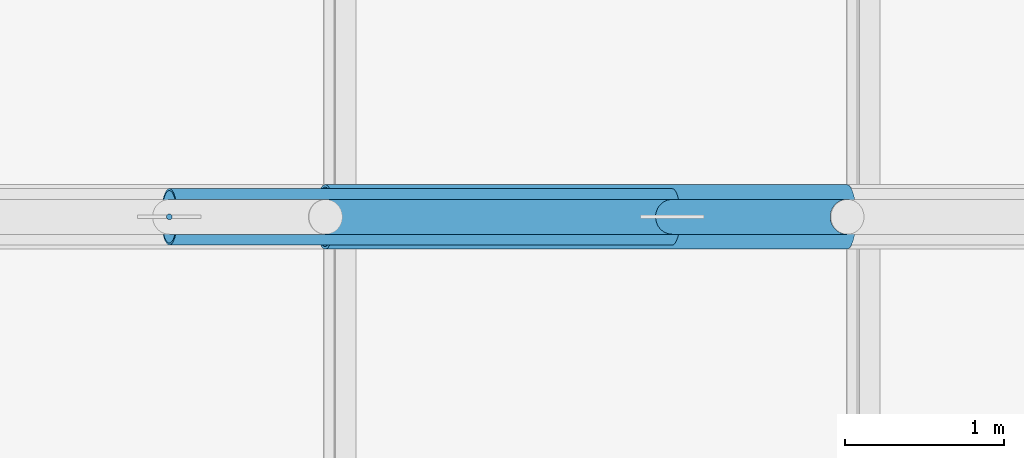
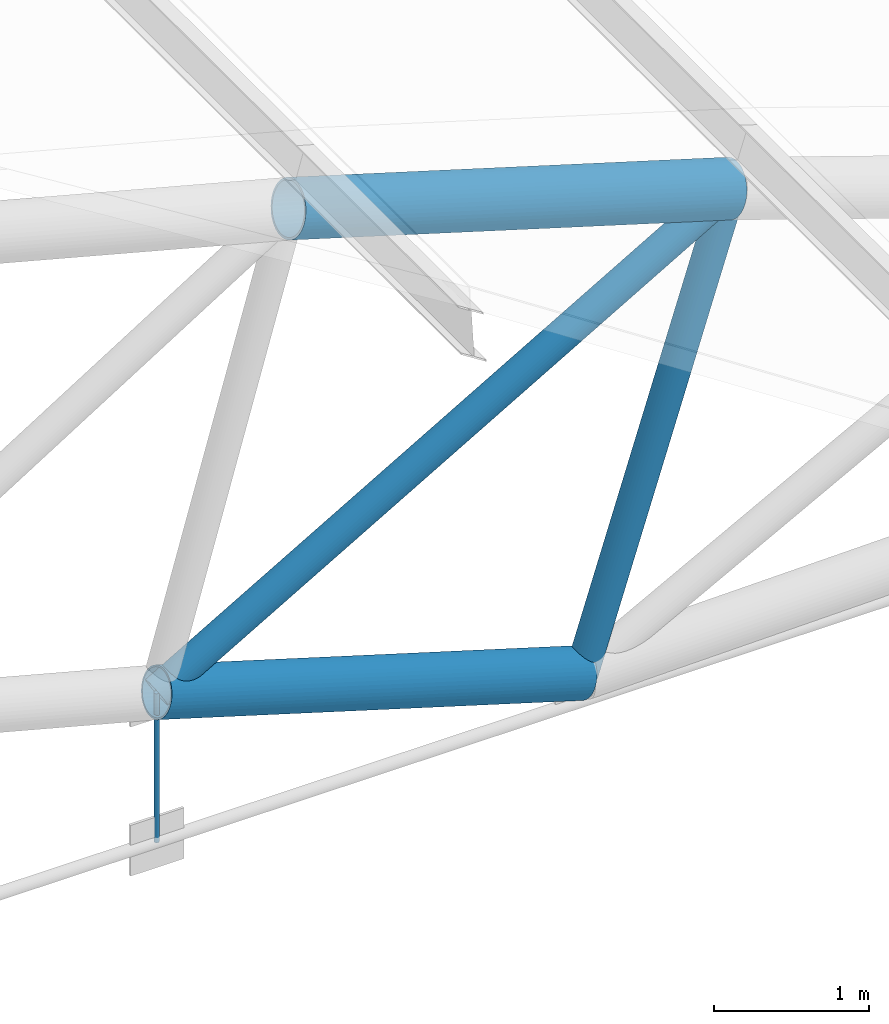
# One storey, part 194 of 321: 5 members.
"""IFC4 building model written with IfcOpenShell, lengths in metres."""

from ifc_helpers import new_model, si_unit, direction, frame, origin, origin_2d, place, context, subcontext, project, spatial, circle, hollow_circle, extrude, material, material_profile, profile_set, type_object, element, save


model = new_model("IFC4")

# Units and contexts
model_context = context("Model", 3, precision=1e-05, world=origin(), true_north=direction((0.0, 1.0)))
body_context = subcontext(model_context, "Body", "Model", "MODEL_VIEW")
ifc_project = project(units=[si_unit("LENGTHUNIT", "METRE"), si_unit("AREAUNIT", "SQUARE_METRE"), si_unit("VOLUMEUNIT", "CUBIC_METRE"), si_unit("PLANEANGLEUNIT", "RADIAN"), si_unit("MASSUNIT", "GRAM", prefix="KILO")], contexts=[model_context])

# Site, building, storey
site_placement = place(None, origin())
site = spatial("IfcSite", under=ifc_project, at=site_placement, CompositionType="ELEMENT")
building_placement = place(site_placement, origin())
building = spatial("IfcBuilding", under=site, at=building_placement, Name="Ravi Spectrum Wholesale Market", CompositionType="ELEMENT")
storey_placement = place(building_placement, frame((0.0, 0.0, 10.800048828125)))
storey = spatial("IfcBuildingStorey", under=building, at=storey_placement, Name="L02", CompositionType="ELEMENT", Elevation=10.800048828125)

# Members
ifc_material_1 = material(Name="Steel S355", Category="steel")
ifc_material_profile_1 = material_profile(ifc_material_1, hollow_circle(Radius=0.109619140625, WallThickness=0.008056640625, at=origin_2d()))
ifc_profile_set_1 = profile_set([ifc_material_profile_1], Name="Steel S355")
member_type_1 = type_object("IfcMemberType", Name="CHS 219.1x8 brace", PredefinedType="BRACE", material=ifc_profile_set_1)
member_1_placement = place(storey_placement, frame((100.380615234375, 174.0, 3.645263671875), z_axis=(-0.865160555252, 0.0, -0.501494978675), x_axis=(0.0, -1.0, 0.0)))
element("IfcMember", 1, at=member_1_placement, inside=storey, type_object=member_type_1, Name="H1-MB-L02-1063", PredefinedType="BRACE", context=body_context, shape_type="SweptSolid", body=[
    extrude(hollow_circle(Radius=0.109619140625, WallThickness=0.008056640625, at=origin_2d()), origin(), (0.0, 0.0, 1.0), 4.9296875),
])
ifc_material_2 = material(Name="Steel S355", Category="steel")
ifc_material_profile_2 = material_profile(ifc_material_2, hollow_circle(Radius=0.109619140625, WallThickness=0.008056640625, at=origin_2d()))
ifc_profile_set_2 = profile_set([ifc_material_profile_2], Name="Steel S355")
member_type_2 = type_object("IfcMemberType", Name="CHS 219.1x8 post", PredefinedType="POST", material=ifc_profile_set_2)
member_2_placement = place(storey_placement, frame((100.380615234375, 174.0, 3.645263671875), z_axis=(-0.305506444581, 0.0, -0.952190008517), x_axis=(0.0, -1.0, 0.0)))
element("IfcMember", 2, at=member_2_placement, inside=storey, type_object=member_type_2, Name="H1-MB-L02-1041", PredefinedType="POST", context=body_context, shape_type="SweptSolid", body=[
    extrude(hollow_circle(Radius=0.109619140625, WallThickness=0.008056640625, at=origin_2d()), origin(), (0.0, 0.0, 1.0), 3.60009765625),
])
ifc_material_3 = material(Name="Steel S355", Category="steel")
ifc_material_profile_3 = material_profile(ifc_material_3, hollow_circle(Radius=0.177734375, WallThickness=0.012451171875, at=origin_2d()))
ifc_profile_set_3 = profile_set([ifc_material_profile_3], Name="Steel S355")
member_type_3 = type_object("IfcMemberType", Name="CHS 355.6x12.5 chord", PredefinedType="CHORD", material=ifc_profile_set_3)
member_3_placement = place(storey_placement, frame((96.11572265625, 174.0, 1.173095703125), z_axis=(0.957300337613, 0.0, -0.289095250058), x_axis=(0.0, 1.0, 0.0)))
element("IfcMember", 3, at=member_3_placement, inside=storey, type_object=member_type_3, Name="H1-MB-L02-1017", PredefinedType="CHORD", context=body_context, shape_type="SweptSolid", body=[
    extrude(hollow_circle(Radius=0.177734375, WallThickness=0.012451171875, at=origin_2d()), origin(), (0.0, 0.0, 1.0), 3.30615234375),
])
ifc_material_4 = material(Name="Steel S355", Category="steel")
ifc_material_profile_4 = material_profile(ifc_material_4, hollow_circle(Radius=0.203125, WallThickness=0.01611328125, at=origin_2d()))
ifc_profile_set_4 = profile_set([ifc_material_profile_4], Name="Steel S355")
member_type_4 = type_object("IfcMemberType", Name="CHS 406.4x16 chord", PredefinedType="CHORD", material=ifc_profile_set_4)
member_4_placement = place(storey_placement, frame((97.096923828125, 174.0, 4.63671875), z_axis=(0.957315448633, 0.0, -0.289045207204), x_axis=(0.0, 1.0, 0.0)))
element("IfcMember", 4, at=member_4_placement, inside=storey, type_object=member_type_4, Name="H1-MB-L02-993", PredefinedType="CHORD", context=body_context, shape_type="SweptSolid", body=[
    extrude(hollow_circle(Radius=0.203125, WallThickness=0.01611328125, at=origin_2d()), origin(), (0.0, 0.0, 1.0), 3.43017578125),
])
ifc_material_5 = material(Name="Steel S355", Category="steel")
ifc_material_profile_5 = material_profile(ifc_material_5, circle(Radius=0.01806640625, at=origin_2d()))
ifc_profile_set_5 = profile_set([ifc_material_profile_5], Name="Steel S355")
member_type_5 = type_object("IfcMemberType", Name="ROD 36 hanger", PredefinedType="STRUT", material=ifc_profile_set_5)
member_5_placement = place(storey_placement, frame((96.11572265625, 174.0, 0.0), z_axis=(0.0, 0.0, 1.0), x_axis=(1.0, 0.0, 0.0)))
element("IfcMember", 5, at=member_5_placement, inside=storey, type_object=member_type_5, Name="H1-MB-L02-1071", PredefinedType="STRUT", context=body_context, shape_type="SweptSolid", body=[
    extrude(circle(Radius=0.01806640625, at=origin_2d()), origin(), (0.0, 0.0, 1.0), 1.173095703125),
])

save(model, "model.ifc")
